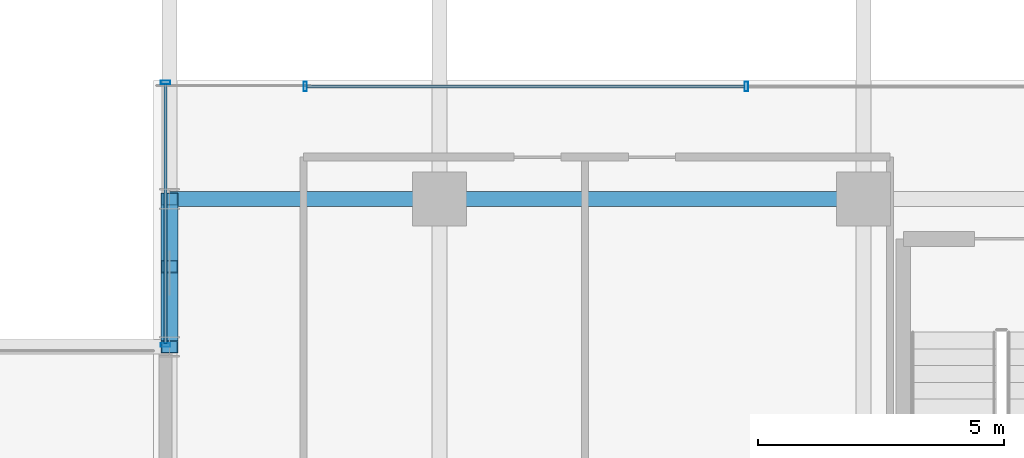
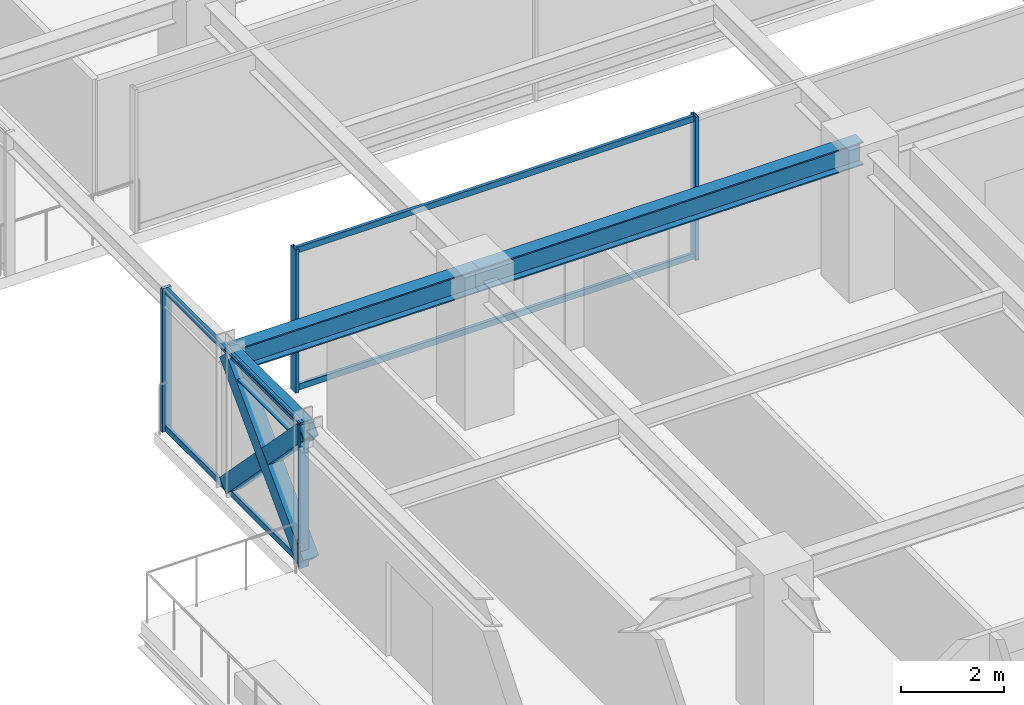
# One storey, part 7 of 35: 11 members, 3 beams, 2 elements without a shape of their own.
"""IFC4 building model written with IfcOpenShell, lengths in metres."""

from ifc_helpers import new_model, si_unit, direction, frame, origin, origin_2d, place, context, subcontext, project, spatial, hollow_rectangle, i_section, extrude, source, transform, mapped, material, material_profile, profile_set, type_object, element, aggregate, save


model = new_model("IFC4")

# Units and contexts
model_context = context("Model", 3, precision=1e-05, world=origin(), true_north=direction((0.0, 1.0)))
body_context = subcontext(model_context, "Body", "Model", "MODEL_VIEW")
ifc_project = project(units=[si_unit("LENGTHUNIT", "METRE"), si_unit("AREAUNIT", "SQUARE_METRE"), si_unit("VOLUMEUNIT", "CUBIC_METRE"), si_unit("PLANEANGLEUNIT", "RADIAN"), si_unit("MASSUNIT", "GRAM", prefix="KILO")], contexts=[model_context])

# Site, building, storey
site_placement = place(None, origin())
site = spatial("IfcSite", under=ifc_project, at=site_placement, CompositionType="ELEMENT")
building_placement = place(site_placement, origin())
building = spatial("IfcBuilding", under=site, at=building_placement, Name="Nahalor Promenade Grand Hotel", CompositionType="ELEMENT")
storey_placement = place(building_placement, frame((0.0, 0.0, 185.5)))
storey = spatial("IfcBuildingStorey", under=building, at=storey_placement, Name="L47", CompositionType="ELEMENT", Elevation=185.5)

# Beams
ifc_material_1 = material(Name="Steel S355JR", Category="steel")
ifc_material_profile_1 = material_profile(ifc_material_1, i_section(OverallWidth=0.3, OverallDepth=0.55, WebThickness=0.015, FlangeThickness=0.029, at=origin_2d()), Name="HEB 550")
ifc_profile_set_1 = profile_set([ifc_material_profile_1], Name="Steel S355JR")
beam_type_1 = type_object("IfcBeamType", Name="Beam-Girder-HEB550", PredefinedType="BEAM", material=ifc_profile_set_1)
shared_shape_1 = source(origin(), body_context, "Body", "SweptSolid", [
    extrude(i_section(OverallWidth=0.3, OverallDepth=0.55, WebThickness=0.015, FlangeThickness=0.029, at=origin_2d()), origin(), (0.0, 0.0, 1.0), 8.60009765625),
])
beam_1_placement = place(storey_placement, frame((-17.0, -5.39990234375, 3.114990234375), z_axis=(1.0, 0.0, 0.0), x_axis=(0.0, 1.0, 0.0)))
element("IfcBeam", 1, at=beam_1_placement, inside=storey, type_object=beam_type_1, Name="BM-L47-GX-1-1", PredefinedType="BEAM", context=body_context, shape_type="MappedRepresentation", body=[
    mapped(shared_shape_1, transform((0.0, 0.0, 0.0), scale=1.0)),
])
shared_shape_2 = source(origin(), body_context, "Body", "SweptSolid", [
    extrude(i_section(OverallWidth=0.3, OverallDepth=0.55, WebThickness=0.015, FlangeThickness=0.029, at=origin_2d()), origin(), (0.0, 0.0, 1.0), 5.47998046875),
])
beam_2_placement = place(storey_placement, frame((-22.47998046875, -5.39990234375, 3.114990234375), z_axis=(1.0, 0.0, 0.0), x_axis=(0.0, 1.0, 0.0)))
element("IfcBeam", 2, at=beam_2_placement, inside=storey, type_object=beam_type_1, Name="BM-L47-GX-1-0", PredefinedType="BEAM", context=body_context, shape_type="MappedRepresentation", body=[
    mapped(shared_shape_2, transform((0.0, 0.0, 0.0), scale=1.0)),
])
ifc_material_profile_2 = material_profile(ifc_material_1, i_section(OverallWidth=0.3, OverallDepth=0.45, WebThickness=0.014, FlangeThickness=0.026, at=origin_2d()), Name="HEB 450")
ifc_profile_set_2 = profile_set([ifc_material_profile_2], Name="Steel S355JR")
beam_type_2 = type_object("IfcBeamType", Name="Beam-Spandrel-HEB450", PredefinedType="SPANDREL", material=ifc_profile_set_2)
shared_shape_3 = source(origin(), body_context, "Body", "SweptSolid", [
    extrude(i_section(OverallWidth=0.3, OverallDepth=0.45, WebThickness=0.014, FlangeThickness=0.026, at=origin_2d()), origin(), (0.0, 0.0, 1.0), 3.0),
])
beam_3_placement = place(storey_placement, frame((-22.47998046875, -8.39990234375, 3.1650390625), z_axis=(0.0, 1.0, 0.0), x_axis=(-1.0, 0.0, 0.0)))
element("IfcBeam", 3, at=beam_3_placement, inside=storey, type_object=beam_type_2, Name="BM-L47-SP-W-1", PredefinedType="SPANDREL", context=body_context, shape_type="MappedRepresentation", body=[
    mapped(shared_shape_3, transform((0.0, 0.0, 0.0), scale=1.0)),
])

# Members
ifc_material_profile_3 = material_profile(ifc_material_1, hollow_rectangle(XDim=0.35, YDim=0.35, WallThickness=0.02, at=origin_2d()), Name="SHS 350x350x20")
ifc_profile_set_3 = profile_set([ifc_material_profile_3], Name="Steel S355JR")
member_type_1 = type_object("IfcMemberType", Name="Mem-VoidBrace-SHS350", PredefinedType="BRACE", material=ifc_profile_set_3)
shared_shape_4 = source(origin(), body_context, "Body", "SweptSolid", [
    extrude(hollow_rectangle(XDim=0.35, YDim=0.35, WallThickness=0.02, at=origin_2d()), origin(), (0.0, 0.0, 1.0), 1.96630859375),
])
member_1_placement = place(storey_placement, frame((-22.47998046875, -7.0302734375, 1.8291015625), z_axis=(0.0, -0.696537426897, 0.717520461682), x_axis=(1.0, 0.0, 0.0)))
element("IfcMember", 4, at=member_1_placement, inside=storey, type_object=member_type_1, Name="EXO-L47-VX2-W0B", PredefinedType="BRACE", context=body_context, shape_type="MappedRepresentation", body=[
    mapped(shared_shape_4, transform((0.0, 0.0, 0.0), scale=1.0)),
])
shared_shape_5 = source(origin(), body_context, "Body", "SweptSolid", [
    extrude(hollow_rectangle(XDim=0.35, YDim=0.35, WallThickness=0.02, at=origin_2d()), origin(), (0.0, 0.0, 1.0), 4.306884765625),
])
member_2_placement = place(storey_placement, frame((-22.47998046875, -8.39990234375, 0.14990234375), z_axis=(0.0, 0.696570665899, 0.717488193219), x_axis=(-1.0, 0.0, 0.0)))
element("IfcMember", 5, at=member_2_placement, inside=storey, type_object=member_type_1, Name="EXO-L47-VX1-W0", PredefinedType="BRACE", context=body_context, shape_type="MappedRepresentation", body=[
    mapped(shared_shape_5, transform((0.0, 0.0, 0.0), scale=1.0)),
])
shared_shape_6 = source(origin(), body_context, "Body", "SweptSolid", [
    extrude(hollow_rectangle(XDim=0.35, YDim=0.35, WallThickness=0.02, at=origin_2d()), origin(), (0.0, 0.0, 1.0), 1.966552734375),
])
member_3_placement = place(storey_placement, frame((-22.47998046875, -5.39990234375, 0.14990234375), z_axis=(0.0, -0.696601340579, 0.71745841155), x_axis=(1.0, 0.0, 0.0)))
element("IfcMember", 6, at=member_3_placement, inside=storey, type_object=member_type_1, Name="EXO-L47-VX2-W0A", PredefinedType="BRACE", context=body_context, shape_type="MappedRepresentation", body=[
    mapped(shared_shape_6, transform((0.0, 0.0, 0.0), scale=1.0)),
])

# Curtain wall, members
ifc_material_2 = material(Name="Anodised Bronze Aluminium EN AW-6063 T6", Category="aluminium")
curtain_wall_type = type_object("IfcCurtainWallType", Name="CW3 Elliptical-Void Collar Unitised Curtain Wall", PredefinedType="USERDEFINED", material=ifc_material_2)
curtain_wall_1_placement = place(storey_placement, origin())
curtain_wall_1 = element("IfcCurtainWall", 7, at=curtain_wall_1_placement, inside=storey, type_object=curtain_wall_type, Name="L47 Curtain Wall CW-L47-W-3", ObjectType="UNITISED_CURTAIN_WALL", PredefinedType="USERDEFINED")
ifc_material_profile_4 = material_profile(ifc_material_2, hollow_rectangle(XDim=0.07, YDim=0.14, WallThickness=0.004, at=origin_2d()), Name="CWT 70x140x4")
ifc_profile_set_4 = profile_set([ifc_material_profile_4], Name="Anodised Bronze Aluminium EN AW-6063 T6")
member_type_2 = type_object("IfcMemberType", Name="CWT3 Void Collar Transom 70x140", PredefinedType="USERDEFINED", material=ifc_profile_set_4)
shared_shape_7 = source(origin(), body_context, "Body", "SweptSolid", [
    extrude(hollow_rectangle(XDim=0.07, YDim=0.14, WallThickness=0.004, at=origin_2d()), origin(), (0.0, 0.0, 1.0), 5.260986328125),
])
member_4_placement = place(storey_placement, frame((-22.56005859375, -8.330078125, 0.070068359375), z_axis=(0.0, 1.0, 0.0), x_axis=(-1.0, 0.0, 0.0)))
member_4 = element("IfcMember", 8, at=member_4_placement, type_object=member_type_2, Name="CW-L47-W-3 Transom 0-0", ObjectType="TRANSOM", PredefinedType="USERDEFINED", context=body_context, shape_type="MappedRepresentation", body=[
    mapped(shared_shape_7, transform((0.0, 0.0, 0.0), scale=1.0)),
])
member_5_placement = place(storey_placement, frame((-22.56005859375, -8.330078125, 3.320068359375), z_axis=(0.0, 1.0, 0.0), x_axis=(-1.0, 0.0, 0.0)))
member_5 = element("IfcMember", 9, at=member_5_placement, type_object=member_type_2, Name="CW-L47-W-3 Transom 0-1", ObjectType="TRANSOM", PredefinedType="USERDEFINED", context=body_context, shape_type="MappedRepresentation", body=[
    mapped(shared_shape_7, transform((0.0, 0.0, 0.0), scale=1.0)),
])

curtain_wall_2_placement = place(storey_placement, origin())
curtain_wall_2 = element("IfcCurtainWall", 10, at=curtain_wall_2_placement, inside=storey, type_object=curtain_wall_type, Name="L47 Curtain Wall CW-L47-VOID-WS1", ObjectType="UNITISED_CURTAIN_WALL", PredefinedType="USERDEFINED")
shared_shape_8 = source(origin(), body_context, "Body", "SweptSolid", [
    extrude(hollow_rectangle(XDim=0.07, YDim=0.14, WallThickness=0.004, at=origin_2d()), origin(), (0.0, 0.0, 1.0), 8.881591796875),
])
member_6_placement = place(storey_placement, frame((-19.68994140625, -3.118896484375, 0.070068359375), z_axis=(1.0, 0.0, 0.0), x_axis=(0.0, 1.0, 0.0)))
member_6 = element("IfcMember", 11, at=member_6_placement, type_object=member_type_2, Name="CW-L47-VOID-WS1 Transom 0-0", ObjectType="TRANSOM", PredefinedType="USERDEFINED", context=body_context, shape_type="MappedRepresentation", body=[
    mapped(shared_shape_8, transform((0.0, 0.0, 0.0), scale=1.0)),
])
member_7_placement = place(storey_placement, frame((-19.68994140625, -3.118896484375, 3.320068359375), z_axis=(1.0, 0.0, 0.0), x_axis=(0.0, 1.0, 0.0)))
member_7 = element("IfcMember", 12, at=member_7_placement, type_object=member_type_2, Name="CW-L47-VOID-WS1 Transom 0-1", ObjectType="TRANSOM", PredefinedType="USERDEFINED", context=body_context, shape_type="MappedRepresentation", body=[
    mapped(shared_shape_8, transform((0.0, 0.0, 0.0), scale=1.0)),
])

# Member
ifc_material_profile_5 = material_profile(ifc_material_2, hollow_rectangle(XDim=0.07, YDim=0.2, WallThickness=0.005, at=origin_2d()), Name="CWM 70x200x5")
ifc_profile_set_5 = profile_set([ifc_material_profile_5], Name="Anodised Bronze Aluminium EN AW-6063 T6")
member_type_3 = type_object("IfcMemberType", Name="CWM3 Void Collar Mullion 70x200", PredefinedType="MULLION", material=ifc_profile_set_5)
shared_shape_9 = source(origin(), body_context, "Body", "SweptSolid", [
    extrude(hollow_rectangle(XDim=0.07, YDim=0.2, WallThickness=0.005, at=origin_2d()), origin(), (0.0, 0.0, 1.0), 3.389892578125),
])
member_8_placement = place(storey_placement, frame((-22.56005859375, -8.364990234375, 0.0), z_axis=(0.0, 0.0, 1.0), x_axis=(0.0, 1.0, 0.0)))
member_8 = element("IfcMember", 13, at=member_8_placement, type_object=member_type_3, Name="CW-L47-W-3 Mullion 0", PredefinedType="MULLION", context=body_context, shape_type="MappedRepresentation", body=[
    mapped(shared_shape_9, transform((0.0, 0.0, 0.0), scale=1.0)),
])

member_9_placement = place(storey_placement, frame((-22.56005859375, -3.033935546875, 0.0), z_axis=(0.0, 0.0, 1.0), x_axis=(0.0, 1.0, 0.0)))
member_9 = element("IfcMember", 14, at=member_9_placement, type_object=member_type_3, Name="CW-L47-W-3 Mullion 1", PredefinedType="MULLION", context=body_context, shape_type="MappedRepresentation", body=[
    mapped(shared_shape_9, transform((0.0, 0.0, 0.0), scale=1.0)),
])

aggregate(curtain_wall_1, [member_8, member_9, member_4, member_5])

member_10_placement = place(storey_placement, frame((-19.72509765625, -3.118896484375, 0.0), z_axis=(0.0, 0.0, 1.0), x_axis=(1.0, 0.0, 0.0)))
member_10 = element("IfcMember", 15, at=member_10_placement, type_object=member_type_3, Name="CW-L47-VOID-WS1 Mullion 0", PredefinedType="MULLION", context=body_context, shape_type="MappedRepresentation", body=[
    mapped(shared_shape_9, transform((0.0, 0.0, 0.0), scale=1.0)),
])

member_11_placement = place(storey_placement, frame((-10.7734375, -3.118896484375, 0.0), z_axis=(0.0, 0.0, 1.0), x_axis=(1.0, 0.0, 0.0)))
member_11 = element("IfcMember", 16, at=member_11_placement, type_object=member_type_3, Name="CW-L47-VOID-WS1 Mullion 1", PredefinedType="MULLION", context=body_context, shape_type="MappedRepresentation", body=[
    mapped(shared_shape_9, transform((0.0, 0.0, 0.0), scale=1.0)),
])

aggregate(curtain_wall_2, [member_10, member_11, member_6, member_7])

save(model, "model.ifc")
